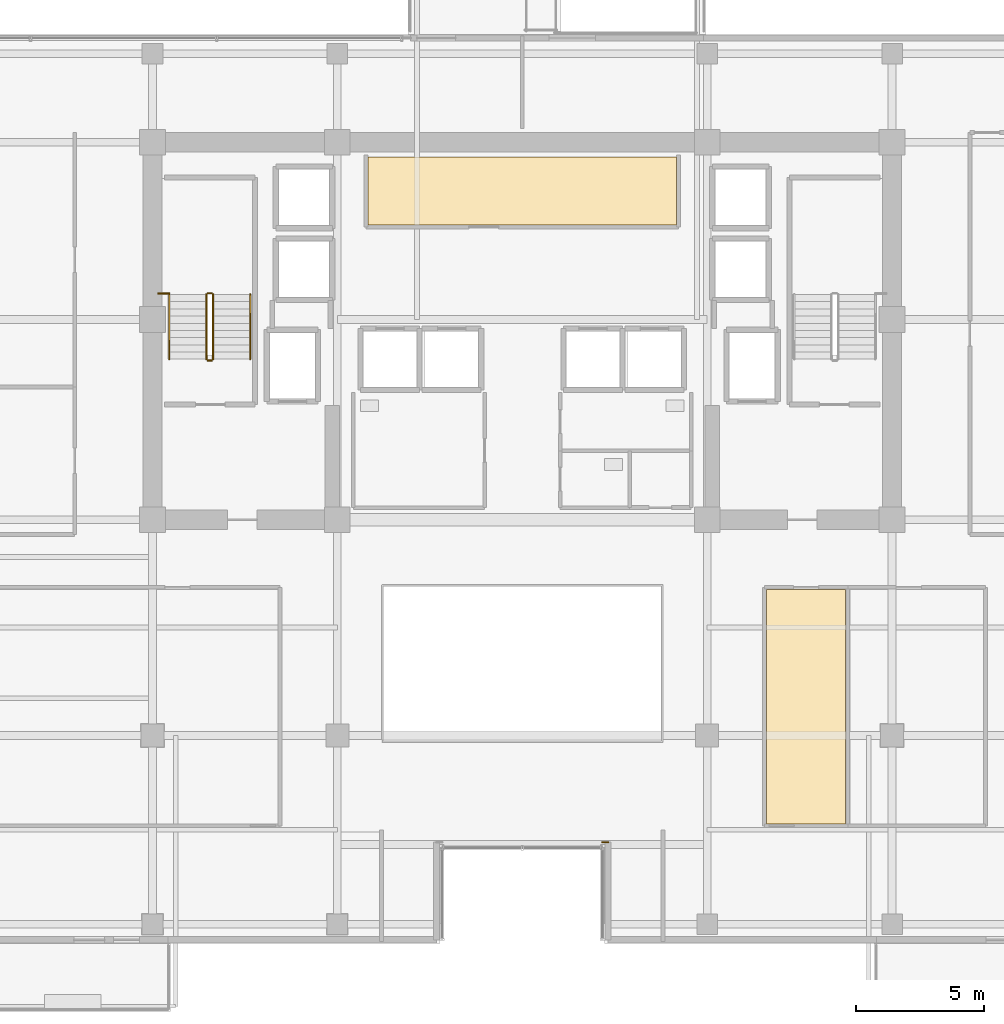
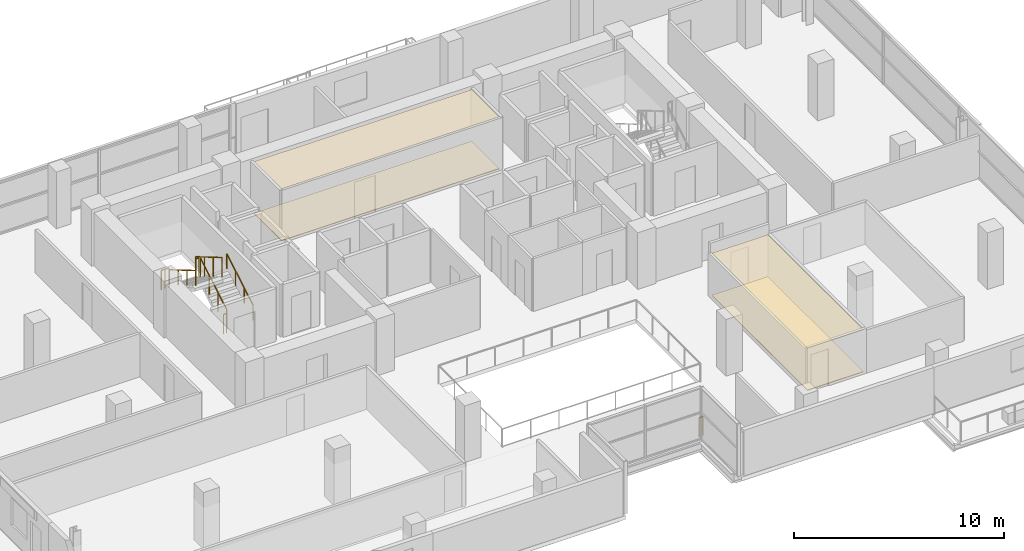
# One storey, part 25 of 28: 8 railings, 4 coverings.
"""IFC4 building model written with IfcOpenShell, lengths in metres."""

from ifc_helpers import new_model, si_unit, direction, frame, origin, origin_2d, place, context, subcontext, project, spatial, polyline, rectangle, outline, extrude, material, layer, layer_set, type_object, element, save


model = new_model("IFC4")

# Units and contexts
model_context = context("Model", 3, precision=1e-05, world=origin(), true_north=direction((0.0, 1.0)))
body_context = subcontext(model_context, "Body", "Model", "MODEL_VIEW")
ifc_project = project(units=[si_unit("LENGTHUNIT", "METRE"), si_unit("AREAUNIT", "SQUARE_METRE"), si_unit("VOLUMEUNIT", "CUBIC_METRE"), si_unit("PLANEANGLEUNIT", "RADIAN"), si_unit("MASSUNIT", "GRAM", prefix="KILO")], contexts=[model_context])

# Site, building, storey
site_placement = place(None, origin())
site = spatial("IfcSite", under=ifc_project, at=site_placement, CompositionType="ELEMENT")
building_placement = place(site_placement, origin())
building = spatial("IfcBuilding", under=site, at=building_placement, Name="Zarnakvel Exchange Tower", CompositionType="ELEMENT")
storey_placement = place(building_placement, frame((0.0, 0.0, 90.10009765625)))
storey = spatial("IfcBuildingStorey", under=building, at=storey_placement, Name="L24", CompositionType="ELEMENT", Elevation=90.10009765625)

# Coverings
ifc_material_1 = material(Name="Perforated Bronze Acoustic Metal Ceiling", Category="aluminium")
ifc_layer_1 = layer(ifc_material_1, 0.02001953125)
ifc_layer_set_1 = layer_set([ifc_layer_1], Name="Perforated Bronze Acoustic Metal Ceiling")
covering_type_1 = type_object("IfcCoveringType", Name="CLG-01", PredefinedType="CEILING", material=ifc_layer_set_1)
covering_1_placement = place(storey_placement, frame((0.0, 0.0, 3.014892578125)))
element("IfcCovering", 1, at=covering_1_placement, inside=storey, type_object=covering_type_1, Name="L24 Suspended Acoustic Ceiling (Market Data Archive Suite)", PredefinedType="CEILING", context=body_context, shape_type="SweptSolid", body=[
    extrude(outline(polyline([(-6.0, 12.919921875), (6.0, 12.919921875), (6.0, 10.280029296875), (-6.0, 10.280029296875), (-6.0, 12.919921875)])), origin(), (0.0, 0.0, 1.0), 0.02001953125),
])
covering_2_placement = place(storey_placement, frame((0.0, 0.0, 2.454833984375)))
element("IfcCovering", 2, at=covering_2_placement, inside=storey, type_object=covering_type_1, Name="L24 Suspended Acoustic Ceiling (Executive Office)", PredefinedType="CEILING", context=body_context, shape_type="SweptSolid", body=[
    extrude(outline(polyline([(9.510009765625, -3.909912109375), (12.595458984375, -3.909912109375), (12.595458984375, -13.0400390625), (9.510009765625, -13.0400390625), (9.510009765625, -3.909912109375)])), origin(), (0.0, 0.0, 1.0), 0.02001953125),
])
ifc_material_2 = material(Name="Heavy-Duty Raised Access Floor Panel", Category="steel")
ifc_layer_2 = layer(ifc_material_2, 0.034912109375)
ifc_layer_set_2 = layer_set([ifc_layer_2], Name="Heavy-Duty Raised Access Floor Panel")
covering_type_2 = type_object("IfcCoveringType", Name="FLR-02", PredefinedType="FLOORING", material=ifc_layer_set_2)
covering_3_placement = place(storey_placement, origin())
element("IfcCovering", 3, at=covering_3_placement, inside=storey, type_object=covering_type_2, Name="L24 Floor Finish (Market Data Archive Suite)", PredefinedType="FLOORING", context=body_context, shape_type="SweptSolid", body=[
    extrude(outline(polyline([(-6.0, 12.919921875), (6.0, 12.919921875), (6.0, 10.280029296875), (-6.0, 10.280029296875), (-6.0, 12.919921875)])), origin(), (0.0, 0.0, 1.0), 0.034912109375),
])
covering_4_placement = place(storey_placement, origin())
element("IfcCovering", 4, at=covering_4_placement, inside=storey, type_object=covering_type_2, Name="L24 Floor Finish (Executive Office)", PredefinedType="FLOORING", context=body_context, shape_type="SweptSolid", body=[
    extrude(outline(polyline([(9.510009765625, -3.909912109375), (12.595458984375, -3.909912109375), (12.595458984375, -13.0400390625), (9.510009765625, -13.0400390625), (9.510009765625, -3.909912109375)])), origin(), (0.0, 0.0, 1.0), 0.034912109375),
])

# Railings
ifc_material_3 = material(Name="Architectural Bronze Anodised Aluminium", Category="aluminium")
railing_type_1 = type_object("IfcRailingType", Name="GR-02", PredefinedType="GUARDRAIL", material=ifc_material_3)
railing_1_placement = place(storey_placement, frame((3.340087890625, -13.760009765625, 0.0)))
element("IfcRailing", 5, at=railing_1_placement, inside=storey, type_object=railing_type_1, Name="L24 Corner Spandrel Balustrade #20", PredefinedType="GUARDRAIL", context=body_context, shape_type="SweptSolid", body=[
    extrude(rectangle(XDim=0.048095703125, YDim=0.048095703125, at=origin_2d()), frame((0.0, 0.0, 1.09619140625), z_axis=(-1.0, 0.0, 0.0), x_axis=(0.0, -1.0, 0.0)), (0.0, 0.0, 1.0), 0.219970703125),
    extrude(rectangle(XDim=0.0419921875, YDim=0.0419921875, at=origin_2d()), origin(), (0.0, 0.0, 1.0), 1.072021484375),
    extrude(rectangle(XDim=0.0419921875, YDim=0.0419921875, at=origin_2d()), frame((-0.219970703125, 0.0, 0.0)), (0.0, 0.0, 1.0), 1.072021484375),
])
ifc_material_4 = material(Name="Brushed Stainless Steel", Category="steel")
railing_type_2 = type_object("IfcRailingType", Name="HR-01", PredefinedType="HANDRAIL", material=ifc_material_4)
railing_2_placement = place(storey_placement, frame((-10.590087890625, 5.050048828125, 0.164794921875)))
element("IfcRailing", 6, at=railing_2_placement, inside=storey, type_object=railing_type_2, Name="L24 ST-01 stair handrail 1", PredefinedType="HANDRAIL", context=body_context, shape_type="SweptSolid", body=[
    extrude(rectangle(XDim=0.048095703125, YDim=0.048095703125, at=origin_2d()), frame((0.0, 0.0, 0.8759765625), z_axis=(0.0, 0.86152411907, 0.507716645641), x_axis=(-1.0, 0.0, 0.0)), (0.0, 0.0, 1.0), 2.925048828125),
    extrude(rectangle(XDim=0.0419921875, YDim=0.0419921875, at=origin_2d()), origin(), (0.0, 0.0, 1.0), 0.851806640625),
    extrude(rectangle(XDim=0.0419921875, YDim=0.0419921875, at=origin_2d()), frame((0.0, 0.840087890625, 0.4951171875)), (0.0, 0.0, 1.0), 0.851806640625),
    extrude(rectangle(XDim=0.0419921875, YDim=0.0419921875, at=origin_2d()), frame((0.0, 1.679931640625, 0.989990234375)), (0.0, 0.0, 1.0), 0.851806640625),
    extrude(rectangle(XDim=0.0419921875, YDim=0.0419921875, at=origin_2d()), frame((0.0, 2.52001953125, 1.485107421875)), (0.0, 0.0, 1.0), 0.851806640625),
])
railing_3_placement = place(storey_placement, frame((-13.75, 7.570068359375, 1.81494140625)))
element("IfcRailing", 7, at=railing_3_placement, inside=storey, type_object=railing_type_2, Name="L24 ST-01 stair handrail 2", PredefinedType="HANDRAIL", context=body_context, shape_type="SweptSolid", body=[
    extrude(rectangle(XDim=0.048095703125, YDim=0.048095703125, at=origin_2d()), frame((0.0, 0.0, 0.8759765625), z_axis=(0.0, -0.861560626758, 0.507654692109), x_axis=(1.0, 0.0, 0.0)), (0.0, 0.0, 1.0), 2.925048828125),
    extrude(rectangle(XDim=0.0419921875, YDim=0.0419921875, at=origin_2d()), origin(), (0.0, 0.0, 1.0), 0.851806640625),
    extrude(rectangle(XDim=0.0419921875, YDim=0.0419921875, at=origin_2d()), frame((0.0, -0.840087890625, 0.494873046875)), (0.0, 0.0, 1.0), 0.851806640625),
    extrude(rectangle(XDim=0.0419921875, YDim=0.0419921875, at=origin_2d()), frame((0.0, -1.679931640625, 0.989990234375)), (0.0, 0.0, 1.0), 0.851806640625),
    extrude(rectangle(XDim=0.0419921875, YDim=0.0419921875, at=origin_2d()), frame((0.0, -2.52001953125, 1.48486328125)), (0.0, 0.0, 1.0), 0.851806640625),
])
railing_type_3 = type_object("IfcRailingType", Name="SG-01", PredefinedType="GUARDRAIL", material=ifc_material_3)
railing_4_placement = place(storey_placement, frame((-12.0400390625, 5.050048828125, 0.164794921875)))
element("IfcRailing", 8, at=railing_4_placement, inside=storey, type_object=railing_type_3, Name="L24 ST-01 stair guard 1", PredefinedType="GUARDRAIL", context=body_context, shape_type="SweptSolid", body=[
    extrude(rectangle(XDim=0.048095703125, YDim=0.048095703125, at=origin_2d()), frame((0.0, 0.0, 1.1259765625), z_axis=(0.0, 0.86152411907, 0.507716645641), x_axis=(-1.0, 0.0, 0.0)), (0.0, 0.0, 1.0), 2.925048828125),
    extrude(rectangle(XDim=0.0419921875, YDim=0.0419921875, at=origin_2d()), origin(), (0.0, 0.0, 1.0), 1.101806640625),
    extrude(rectangle(XDim=0.0419921875, YDim=0.0419921875, at=origin_2d()), frame((0.0, 0.840087890625, 0.4951171875)), (0.0, 0.0, 1.0), 1.101806640625),
    extrude(rectangle(XDim=0.0419921875, YDim=0.0419921875, at=origin_2d()), frame((0.0, 1.679931640625, 0.989990234375)), (0.0, 0.0, 1.0), 1.101806640625),
    extrude(rectangle(XDim=0.0419921875, YDim=0.0419921875, at=origin_2d()), frame((0.0, 2.52001953125, 1.485107421875)), (0.0, 0.0, 1.0), 1.101806640625),
])
railing_5_placement = place(storey_placement, frame((-12.090087890625, 7.6201171875, 1.64990234375)))
element("IfcRailing", 9, at=railing_5_placement, inside=storey, type_object=railing_type_3, Name="L24 ST-01 stair guard 2", PredefinedType="GUARDRAIL", context=body_context, shape_type="SweptSolid", body=[
    extrude(rectangle(XDim=0.048095703125, YDim=0.048095703125, at=origin_2d()), frame((0.0, 0.0, 1.1259765625), z_axis=(-1.0, 0.0, 0.0), x_axis=(0.0, -1.0, 0.0)), (0.0, 0.0, 1.0), 0.159912109375),
    extrude(rectangle(XDim=0.0419921875, YDim=0.0419921875, at=origin_2d()), origin(), (0.0, 0.0, 1.0), 1.101806640625),
    extrude(rectangle(XDim=0.0419921875, YDim=0.0419921875, at=origin_2d()), frame((-0.159912109375, 0.0, 0.0)), (0.0, 0.0, 1.0), 1.101806640625),
])
railing_6_placement = place(storey_placement, frame((-12.300048828125, 7.570068359375, 1.81494140625)))
element("IfcRailing", 10, at=railing_6_placement, inside=storey, type_object=railing_type_3, Name="L24 ST-01 stair guard 3", PredefinedType="GUARDRAIL", context=body_context, shape_type="SweptSolid", body=[
    extrude(rectangle(XDim=0.048095703125, YDim=0.048095703125, at=origin_2d()), frame((0.0, 0.0, 1.1259765625), z_axis=(0.0, -0.861560626758, 0.507654692109), x_axis=(1.0, 0.0, 0.0)), (0.0, 0.0, 1.0), 2.925048828125),
    extrude(rectangle(XDim=0.0419921875, YDim=0.0419921875, at=origin_2d()), origin(), (0.0, 0.0, 1.0), 1.101806640625),
    extrude(rectangle(XDim=0.0419921875, YDim=0.0419921875, at=origin_2d()), frame((0.0, -0.840087890625, 0.494873046875)), (0.0, 0.0, 1.0), 1.101806640625),
    extrude(rectangle(XDim=0.0419921875, YDim=0.0419921875, at=origin_2d()), frame((0.0, -1.679931640625, 0.989990234375)), (0.0, 0.0, 1.0), 1.101806640625),
    extrude(rectangle(XDim=0.0419921875, YDim=0.0419921875, at=origin_2d()), frame((0.0, -2.52001953125, 1.48486328125)), (0.0, 0.0, 1.0), 1.101806640625),
])
railing_7_placement = place(storey_placement, frame((-12.090087890625, 5.0, 0.0)))
element("IfcRailing", 11, at=railing_7_placement, inside=storey, type_object=railing_type_3, Name="L24 ST-01 stair guard 4", PredefinedType="GUARDRAIL", context=body_context, shape_type="SweptSolid", body=[
    extrude(rectangle(XDim=0.048095703125, YDim=0.048095703125, at=origin_2d()), frame((0.0, 0.0, 1.1259765625), z_axis=(-1.0, 0.0, 0.0), x_axis=(0.0, -1.0, 0.0)), (0.0, 0.0, 1.0), 0.159912109375),
    extrude(rectangle(XDim=0.0419921875, YDim=0.0419921875, at=origin_2d()), origin(), (0.0, 0.0, 1.0), 1.101806640625),
    extrude(rectangle(XDim=0.0419921875, YDim=0.0419921875, at=origin_2d()), frame((-0.159912109375, 0.0, 0.0)), (0.0, 0.0, 1.0), 1.101806640625),
])
railing_8_placement = place(storey_placement, frame((-14.179931640625, 7.610107421875, 1.64990234375)))
element("IfcRailing", 12, at=railing_8_placement, inside=storey, type_object=railing_type_3, Name="L24 ST-01 Landing Slot Guardrail", PredefinedType="GUARDRAIL", context=body_context, shape_type="SweptSolid", body=[
    extrude(rectangle(XDim=0.048095703125, YDim=0.048095703125, at=origin_2d()), frame((0.0, 0.0, 1.1259765625), z_axis=(1.0, 0.0, 0.0), x_axis=(0.0, 1.0, 0.0)), (0.0, 0.0, 1.0), 0.429931640625),
    extrude(rectangle(XDim=0.0419921875, YDim=0.0419921875, at=origin_2d()), origin(), (0.0, 0.0, 1.0), 1.101806640625),
    extrude(rectangle(XDim=0.0419921875, YDim=0.0419921875, at=origin_2d()), frame((0.21484375, 0.0, 0.0)), (0.0, 0.0, 1.0), 1.101806640625),
    extrude(rectangle(XDim=0.0419921875, YDim=0.0419921875, at=origin_2d()), frame((0.429931640625, 0.0, 0.0)), (0.0, 0.0, 1.0), 1.101806640625),
])

save(model, "model.ifc")
